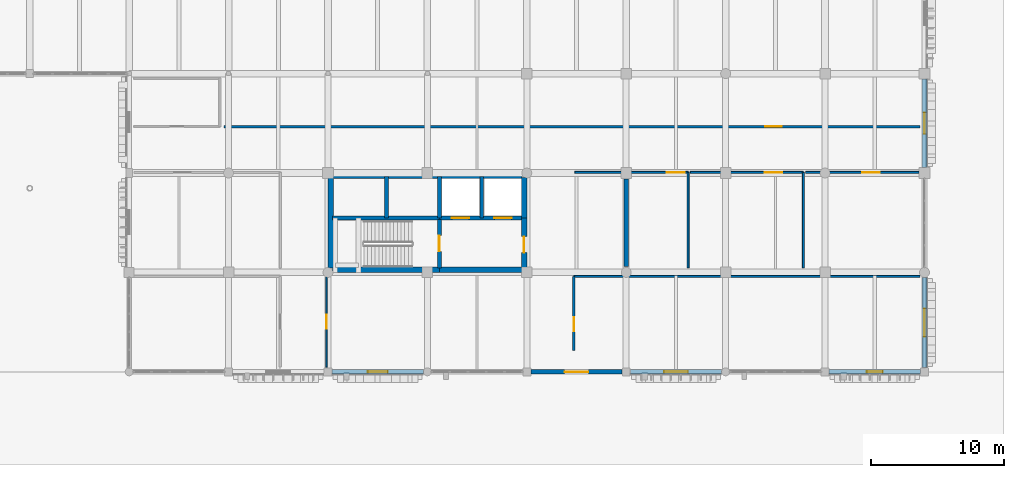
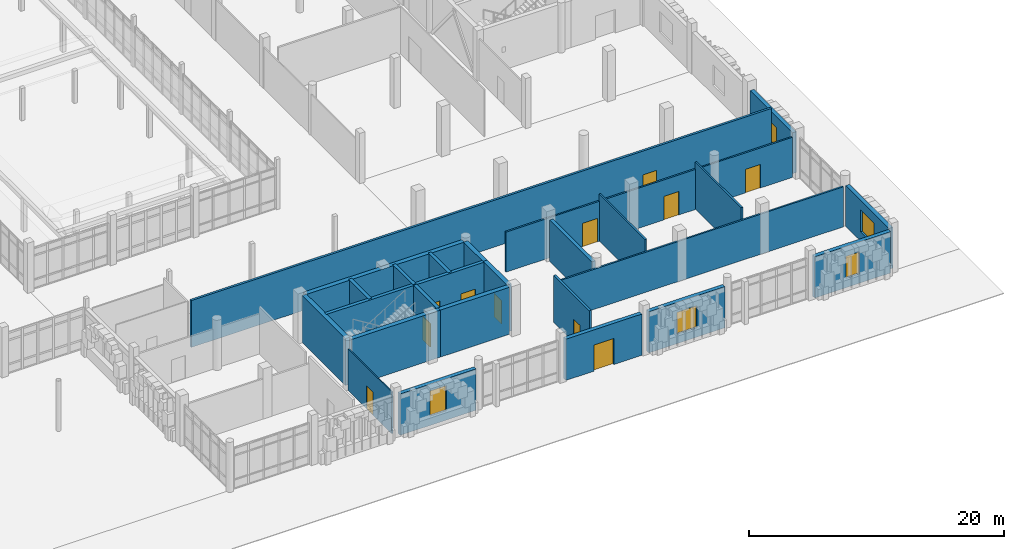
# One storey, part 97 of 125: 28 walls, 11 doors, 5 windows, 16 openings.
"""IFC4 building model written with IfcOpenShell, lengths in metres."""

from ifc_helpers import new_model, si_unit, direction, frame, frame_2d, origin, place, context, subcontext, project, spatial, rectangle, extrude, material, layer, layer_set, type_object, element, fill, save


model = new_model("IFC4")

# Units and contexts
model_context = context("Model", 3, precision=1e-05, world=origin(), true_north=direction((0.0, 1.0)))
body_context = subcontext(model_context, "Body", "Model", "MODEL_VIEW")
ifc_project = project(units=[si_unit("LENGTHUNIT", "METRE"), si_unit("AREAUNIT", "SQUARE_METRE"), si_unit("VOLUMEUNIT", "CUBIC_METRE"), si_unit("PLANEANGLEUNIT", "RADIAN"), si_unit("MASSUNIT", "GRAM", prefix="KILO")], contexts=[model_context])

# Site, building, storey
site_placement = place(None, origin())
site = spatial("IfcSite", under=ifc_project, at=site_placement, CompositionType="ELEMENT")
building_placement = place(site_placement, origin())
building = spatial("IfcBuilding", under=site, at=building_placement, Name="Dalvernix Boulevard General Hospital", CompositionType="ELEMENT")
storey_placement = place(building_placement, origin())
storey = spatial("IfcBuildingStorey", under=building, at=storey_placement, Name="L00", CompositionType="ELEMENT", Elevation=0.0)

# Walls
ifc_material_1 = material(Name="Concrete C40/50", Category="concrete")
ifc_layer_1 = layer(ifc_material_1, 0.39990234375)
ifc_layer_set_1 = layer_set([ifc_layer_1], Name="Concrete C40/50 (WAL-CSW-01)")
wall_type_1 = type_object("IfcWallType", Name="WAL-CSW-01", PredefinedType="SHEAR", material=ifc_layer_set_1)
wall_1_placement = place(storey_placement, frame((127.85009765625, 7.699951171875, 0.0), z_axis=(0.0, 0.0, 1.0), x_axis=(1.0, 0.0, 0.0)))
element("IfcWall", 1, at=wall_1_placement, inside=storey, type_object=wall_type_1, Name="L00 C5 south stairwell wall", PredefinedType="SHEAR", context=body_context, shape_type="SweptSolid", body=[
    extrude(rectangle(XDim=8.0498046875, YDim=0.39990234375, at=frame_2d((4.02490234375, 0.0))), origin(), (0.0, 0.0, 1.0), 4.5),
])
wall_2_placement = place(storey_placement, frame((135.89990234375, 7.699951171875, 0.0), z_axis=(0.0, 0.0, 1.0), x_axis=(1.0, 0.0, 0.0)))
element("IfcWall", 2, at=wall_2_placement, inside=storey, type_object=wall_type_1, Name="L00 C5 south firefighting lobby wall", PredefinedType="SHEAR", context=body_context, shape_type="SweptSolid", body=[
    extrude(rectangle(XDim=6.25, YDim=0.39990234375, at=frame_2d((3.125, 0.0))), origin(), (0.0, 0.0, 1.0), 4.5),
])
wall_3_placement = place(storey_placement, frame((127.85009765625, 14.800048828125, 0.0), z_axis=(0.0, 0.0, 1.0), x_axis=(1.0, 0.0, 0.0)))
element("IfcWall", 3, at=wall_3_placement, inside=storey, type_object=wall_type_1, Name="L00 C5 north shaft core wall", PredefinedType="SHEAR", context=body_context, shape_type="SweptSolid", body=[
    extrude(rectangle(XDim=14.2998046875, YDim=0.39990234375, at=frame_2d((7.14990234375, 0.0))), origin(), (0.0, 0.0, 1.0), 4.5),
])
wall_4_placement = place(storey_placement, frame((127.699951171875, 7.85009765625, 0.0), z_axis=(0.0, 0.0, 1.0), x_axis=(0.0, 1.0, 0.0)))
element("IfcWall", 4, at=wall_4_placement, inside=storey, type_object=wall_type_1, Name="L00 C5 west core wall", PredefinedType="SHEAR", context=body_context, shape_type="SweptSolid", body=[
    extrude(rectangle(XDim=6.7998046875, YDim=0.39990234375, at=frame_2d((3.39990234375, 0.0))), origin(), (0.0, 0.0, 1.0), 4.5),
])

# Wall, opening, door
wall_5_placement = place(storey_placement, frame((142.300048828125, 7.85009765625, 0.0), z_axis=(0.0, 0.0, 1.0), x_axis=(0.0, 1.0, 0.0)))
wall_5 = element("IfcWall", 5, at=wall_5_placement, inside=storey, type_object=wall_type_1, Name="L00 C5 east lobby core wall", PredefinedType="SHEAR", context=body_context, shape_type="SweptSolid", body=[
    extrude(rectangle(XDim=3.75, YDim=0.39990234375, at=frame_2d((1.875, 0.0))), origin(), (0.0, 0.0, 1.0), 4.5),
])
opening_1_placement = place(wall_5_placement, frame((1.14990234375, 0.0, 0.0)))
opening_1 = element("IfcOpeningElement", 6, at=opening_1_placement, cuts=wall_5, Name="Opening FD-02", PredefinedType="OPENING", context=body_context, shape_type="SweptSolid", body=[
    extrude(rectangle(XDim=1.199951171875, YDim=2.25, at=frame_2d((0.60009765625, 1.125))), frame((0.0, 0.2099609375, 0.0), z_axis=(0.0, -1.0, 0.0), x_axis=(1.0, 0.0, 0.0)), (0.0, 0.0, 1.0), 0.419921875),
])
ifc_material_2 = material(Name="Hospital laminate acoustic timber and steel frame", Category="steel")
door_type_1 = type_object("IfcDoorType", Name="DR-FD-02", OperationType="NOTDEFINED", PredefinedType="DOOR", material=ifc_material_2)
door_1_placement = place(opening_1_placement, origin())
door_1 = element("IfcDoor", 7, at=door_1_placement, inside=storey, type_object=door_type_1, Name="L00 C5 east lobby fire door", OperationType="SINGLE_SWING_LEFT", OverallHeight=2.25, OverallWidth=1.199951171875, PredefinedType="DOOR", context=body_context, shape_type="SweptSolid", body=[
    extrude(rectangle(XDim=1.199951171875, YDim=2.25, at=frame_2d((0.60009765625, 1.125))), frame((0.0, 0.02490234375, 0.0), z_axis=(0.0, -1.0, 0.0), x_axis=(1.0, 0.0, 0.0)), (0.0, 0.0, 1.0), 0.050048828125),
])
fill(opening_1, door_1)

# Walls
wall_6_placement = place(storey_placement, frame((142.300048828125, 11.60009765625, 0.0), z_axis=(0.0, 0.0, 1.0), x_axis=(0.0, 1.0, 0.0)))
element("IfcWall", 8, at=wall_6_placement, inside=storey, type_object=wall_type_1, Name="L00 C5 east shaft core wall", PredefinedType="SHEAR", context=body_context, shape_type="SweptSolid", body=[
    extrude(rectangle(XDim=3.0498046875, YDim=0.39990234375, at=frame_2d((1.52490234375, 0.0))), origin(), (0.0, 0.0, 1.0), 4.5),
])
ifc_layer_2 = layer(ifc_material_1, 0.300048828125)
ifc_layer_set_2 = layer_set([ifc_layer_2], Name="Concrete C40/50 (WAL-CSW-02)")
wall_type_2 = type_object("IfcWallType", Name="WAL-CSW-02", PredefinedType="SHEAR", material=ifc_layer_set_2)
wall_7_placement = place(storey_placement, frame((127.85009765625, 11.60009765625, 0.0), z_axis=(0.0, 0.0, 1.0), x_axis=(1.0, 0.0, 0.0)))
element("IfcWall", 9, at=wall_7_placement, inside=storey, type_object=wall_type_2, Name="L00 C5 riser spine wall", PredefinedType="SHEAR", context=body_context, shape_type="SweptSolid", body=[
    extrude(rectangle(XDim=8.0498046875, YDim=0.300048828125, at=frame_2d((4.02490234375, 0.0))), origin(), (0.0, 0.0, 1.0), 4.5),
])

# Wall, openings, doors
wall_8_placement = place(storey_placement, frame((135.89990234375, 11.60009765625, 0.0), z_axis=(0.0, 0.0, 1.0), x_axis=(1.0, 0.0, 0.0)))
wall_8 = element("IfcWall", 10, at=wall_8_placement, inside=storey, type_object=wall_type_2, Name="L00 C5 lift shaft front wall", PredefinedType="SHEAR", context=body_context, shape_type="SweptSolid", body=[
    extrude(rectangle(XDim=6.25, YDim=0.300048828125, at=frame_2d((3.125, 0.0))), origin(), (0.0, 0.0, 1.0), 4.5),
])
opening_2_placement = place(wall_8_placement, frame((0.949951171875, 0.0, 0.0)))
opening_2 = element("IfcOpeningElement", 11, at=opening_2_placement, cuts=wall_8, Name="Opening LD-LF-04-L00", PredefinedType="OPENING", context=body_context, shape_type="SweptSolid", body=[
    extrude(rectangle(XDim=1.300048828125, YDim=2.199951171875, at=frame_2d((0.64990234375, 1.10009765625))), frame((0.0, 0.159912109375, 0.0), z_axis=(0.0, -1.0, 0.0), x_axis=(1.0, 0.0, 0.0)), (0.0, 0.0, 1.0), 0.320068359375),
])
opening_3_placement = place(wall_8_placement, frame((4.14990234375, 0.0, 0.0)))
opening_3 = element("IfcOpeningElement", 12, at=opening_3_placement, cuts=wall_8, Name="Opening LD-LF-05-L00", PredefinedType="OPENING", context=body_context, shape_type="SweptSolid", body=[
    extrude(rectangle(XDim=1.300048828125, YDim=2.199951171875, at=frame_2d((0.64990234375, 1.10009765625))), frame((0.0, 0.159912109375, 0.0), z_axis=(0.0, -1.0, 0.0), x_axis=(1.0, 0.0, 0.0)), (0.0, 0.0, 1.0), 0.320068359375),
])
ifc_material_3 = material(Name="Stainless-clad steel", Category="steel")
door_type_2 = type_object("IfcDoorType", Name="DR-LD-02", OperationType="DOUBLE_DOOR_SLIDING", PredefinedType="DOOR", material=ifc_material_3)
door_2_placement = place(opening_2_placement, origin())
door_2 = element("IfcDoor", 13, at=door_2_placement, inside=storey, type_object=door_type_2, Name="L00 Lift LF-04 sliding landing door", OperationType="DOUBLE_DOOR_SLIDING", OverallHeight=2.199951171875, OverallWidth=1.300048828125, PredefinedType="DOOR", context=body_context, shape_type="SweptSolid", body=[
    extrude(rectangle(XDim=1.300048828125, YDim=2.199951171875, at=frame_2d((0.64990234375, 1.10009765625))), frame((0.0, 0.02490234375, 0.0), z_axis=(0.0, -1.0, 0.0), x_axis=(1.0, 0.0, 0.0)), (0.0, 0.0, 1.0), 0.050048828125),
])
fill(opening_2, door_2)
door_3_placement = place(opening_3_placement, origin())
door_3 = element("IfcDoor", 14, at=door_3_placement, inside=storey, type_object=door_type_2, Name="L00 Lift LF-05 sliding landing door", OperationType="DOUBLE_DOOR_SLIDING", OverallHeight=2.199951171875, OverallWidth=1.300048828125, PredefinedType="DOOR", context=body_context, shape_type="SweptSolid", body=[
    extrude(rectangle(XDim=1.300048828125, YDim=2.199951171875, at=frame_2d((0.64990234375, 1.10009765625))), frame((0.0, 0.02490234375, 0.0), z_axis=(0.0, -1.0, 0.0), x_axis=(1.0, 0.0, 0.0)), (0.0, 0.0, 1.0), 0.050048828125),
])
fill(opening_3, door_3)

# Wall, opening, door
wall_9_placement = place(storey_placement, frame((135.89990234375, 11.5, 0.0), z_axis=(0.0, 0.0, 1.0), x_axis=(0.0, -1.0, 0.0)))
wall_9 = element("IfcWall", 15, at=wall_9_placement, inside=storey, type_object=wall_type_2, Name="L00 C5 stairwell fire wall", PredefinedType="SHEAR", context=body_context, shape_type="SweptSolid", body=[
    extrude(rectangle(XDim=3.64990234375, YDim=0.300048828125, at=frame_2d((1.824951171875, 0.0))), origin(), (0.0, 0.0, 1.0), 4.5),
])
opening_4_placement = place(wall_9_placement, frame((1.219970703125, 0.0, 0.0)))
opening_4 = element("IfcOpeningElement", 16, at=opening_4_placement, cuts=wall_9, Name="Opening FD-02", PredefinedType="OPENING", context=body_context, shape_type="SweptSolid", body=[
    extrude(rectangle(XDim=1.199951171875, YDim=2.25, at=frame_2d((0.60009765625, 1.125))), frame((0.0, 0.159912109375, 0.0), z_axis=(0.0, -1.0, 0.0), x_axis=(1.0, 0.0, 0.0)), (0.0, 0.0, 1.0), 0.320068359375),
])
door_4_placement = place(opening_4_placement, origin())
door_4 = element("IfcDoor", 17, at=door_4_placement, inside=storey, type_object=door_type_1, Name="L00 Stair ST-05 fire door", OperationType="SINGLE_SWING_RIGHT", OverallHeight=2.25, OverallWidth=1.199951171875, PredefinedType="DOOR", context=body_context, shape_type="SweptSolid", body=[
    extrude(rectangle(XDim=1.199951171875, YDim=2.25, at=frame_2d((0.60009765625, 1.125))), frame((0.0, 0.02490234375, 0.0), z_axis=(0.0, -1.0, 0.0), x_axis=(1.0, 0.0, 0.0)), (0.0, 0.0, 1.0), 0.050048828125),
])
fill(opening_4, door_4)

# Walls
for number, where, z_axis, x_axis, name in (
    (18, (131.89990234375, 11.60009765625, 0.0), (0.0, 0.0, 1.0), (0.0, 1.0, 0.0), "L00 C5 shaft divider R1"),
    (19, (135.89990234375, 11.60009765625, 0.0), (0.0, 0.0, 1.0), (0.0, 1.0, 0.0), "L00 C5 shaft divider R2"),
    (20, (139.10009765625, 11.60009765625, 0.0), (0.0, 0.0, 1.0), (0.0, 1.0, 0.0), "L00 C5 shaft divider L1"),
):
    element("IfcWall", number, at=place(storey_placement, frame(where, z_axis=z_axis, x_axis=x_axis)), inside=storey, type_object=wall_type_2, Name=name, PredefinedType="SHEAR", context=body_context, shape_type="SweptSolid", body=[
        extrude(rectangle(XDim=3.14990234375, YDim=0.300048828125, at=frame_2d((1.574951171875, 0.0))), origin(), (0.0, 0.0, 1.0), 4.5),
    ])
ifc_layer_3 = layer(ifc_material_1, 0.320068359375)
ifc_layer_set_3 = layer_set([ifc_layer_3], Name="Concrete C40/50 (WAL-ESW-02)")
wall_type_3 = type_object("IfcWallType", Name="WAL-ESW-02", PredefinedType="SHEAR", material=ifc_layer_set_3)
wall_10_placement = place(storey_placement, frame((150.0, 7.949951171875, 0.0), z_axis=(0.0, 0.0, 1.0), x_axis=(0.0, 1.0, 0.0)))
element("IfcWall", 21, at=wall_10_placement, inside=storey, type_object=wall_type_3, Name="L00 reinforced concrete shear wall 3", PredefinedType="SHEAR", context=body_context, shape_type="SweptSolid", body=[
    extrude(rectangle(XDim=6.60009765625, YDim=0.320068359375, at=frame_2d((3.300048828125, 0.0))), origin(), (0.0, 0.0, 1.0), 3.949951171875),
])

# Wall, opening, window
ifc_material_4 = material(Name="Pressed Catalan clay brick and insulated concrete cavity wall C35/45", Category="masonry")
ifc_layer_4 = layer(ifc_material_4, 0.35009765625)
ifc_layer_set_4 = layer_set([ifc_layer_4], Name="Pressed Catalan clay brick and insulated concrete cavity wall C35/45 (WAL-EW-01)")
wall_type_4 = type_object("IfcWallType", Name="WAL-EW-01", PredefinedType="STANDARD", material=ifc_layer_set_4)
wall_11_placement = place(storey_placement, frame((134.68994140625, 0.0, 0.0), z_axis=(0.0, 0.0, 1.0), x_axis=(-1.0, 0.0, 0.0)))
wall_11 = element("IfcWall", 22, at=wall_11_placement, inside=storey, type_object=wall_type_4, Name="L00 Catalan brick external wall S 17-0", PredefinedType="STANDARD", context=body_context, shape_type="SweptSolid", body=[
    extrude(rectangle(XDim=6.8798828125, YDim=0.35009765625, at=frame_2d((3.43994140625, 0.0))), origin(), (0.0, 0.0, 1.0), 3.949951171875),
])
opening_5_placement = place(wall_11_placement, frame((2.68994140625, 0.0, 0.89990234375)))
opening_5 = element("IfcOpeningElement", 23, at=opening_5_placement, cuts=wall_11, Name="Opening WN-02", PredefinedType="OPENING", context=body_context, shape_type="SweptSolid", body=[
    extrude(rectangle(XDim=1.5, YDim=2.39990234375, at=frame_2d((0.75, 1.199951171875))), frame((0.0, 0.18505859375, 0.0), z_axis=(0.0, -1.0, 0.0), x_axis=(1.0, 0.0, 0.0)), (0.0, 0.0, 1.0), 0.3701171875),
])
ifc_material_5 = material(Name="Thermally broken aluminium frame with solar-control double glazing", Category="aluminium")
window_type_1 = type_object("IfcWindowType", Name="WIN-WN-02", PartitioningType="SINGLE_PANEL", PredefinedType="WINDOW", material=ifc_material_5)
window_1_placement = place(opening_5_placement, origin())
window_1 = element("IfcWindow", 24, at=window_1_placement, inside=storey, type_object=window_type_1, Name="L00 clinical window WN-02 S 17-0", OverallHeight=2.39990234375, OverallWidth=1.5, PartitioningType="SINGLE_PANEL", PredefinedType="WINDOW", context=body_context, shape_type="SweptSolid", body=[
    extrude(rectangle(XDim=1.5, YDim=2.39990234375, at=frame_2d((0.75, 1.199951171875))), frame((0.0, 0.030029296875, 0.0), z_axis=(0.0, -1.0, 0.0), x_axis=(1.0, 0.0, 0.0)), (0.0, 0.0, 1.0), 0.06005859375),
])
fill(opening_5, window_1)

# Wall, opening, door
wall_12_placement = place(storey_placement, frame((149.68994140625, 0.0, 0.0), z_axis=(0.0, 0.0, 1.0), x_axis=(-1.0, 0.0, 0.0)))
wall_12 = element("IfcWall", 25, at=wall_12_placement, inside=storey, type_object=wall_type_4, Name="L00 Catalan brick external wall S 19-0", PredefinedType="STANDARD", context=body_context, shape_type="SweptSolid", body=[
    extrude(rectangle(XDim=6.8798828125, YDim=0.35009765625, at=frame_2d((3.43994140625, 0.0))), origin(), (0.0, 0.0, 1.0), 3.949951171875),
])
opening_6_placement = place(wall_12_placement, frame((2.5400390625, 0.0, 0.0)))
opening_6 = element("IfcOpeningElement", 26, at=opening_6_placement, cuts=wall_12, Name="Opening ED-18", PredefinedType="OPENING", context=body_context, shape_type="SweptSolid", body=[
    extrude(rectangle(XDim=1.800048828125, YDim=2.5, at=frame_2d((0.89990234375, 1.25))), frame((0.0, 0.18505859375, 0.0), z_axis=(0.0, -1.0, 0.0), x_axis=(1.0, 0.0, 0.0)), (0.0, 0.0, 1.0), 0.3701171875),
])
ifc_material_6 = material(Name="Galvanized painted steel", Category="steel")
door_type_3 = type_object("IfcDoorType", Name="DR-ED-18", OperationType="DOUBLE_DOOR_SINGLE_SWING", PredefinedType="DOOR", material=ifc_material_6)
door_5_placement = place(opening_6_placement, origin())
door_5 = element("IfcDoor", 27, at=door_5_placement, inside=storey, type_object=door_type_3, Name="Final Exit Door ED-L00-05 (Core C5 Protected Exit Corridor)", OperationType="DOUBLE_DOOR_SINGLE_SWING", OverallHeight=2.5, OverallWidth=1.800048828125, PredefinedType="DOOR", context=body_context, shape_type="SweptSolid", body=[
    extrude(rectangle(XDim=1.800048828125, YDim=2.5, at=frame_2d((0.89990234375, 1.25))), frame((0.0, 0.02490234375, 0.0), z_axis=(0.0, -1.0, 0.0), x_axis=(1.0, 0.0, 0.0)), (0.0, 0.0, 1.0), 0.050048828125),
])
fill(opening_6, door_5)

# Wall, opening, window
wall_13_placement = place(storey_placement, frame((157.18994140625, 0.0, 0.0), z_axis=(0.0, 0.0, 1.0), x_axis=(-1.0, 0.0, 0.0)))
wall_13 = element("IfcWall", 28, at=wall_13_placement, inside=storey, type_object=wall_type_4, Name="L00 Catalan brick external wall S 20-0", PredefinedType="STANDARD", context=body_context, shape_type="SweptSolid", body=[
    extrude(rectangle(XDim=6.8798828125, YDim=0.35009765625, at=frame_2d((3.43994140625, 0.0))), origin(), (0.0, 0.0, 1.0), 3.949951171875),
])
opening_7_placement = place(wall_13_placement, frame((2.5400390625, 0.0, 0.89990234375)))
opening_7 = element("IfcOpeningElement", 29, at=opening_7_placement, cuts=wall_13, Name="Opening WN-05", PredefinedType="OPENING", context=body_context, shape_type="SweptSolid", body=[
    extrude(rectangle(XDim=1.800048828125, YDim=2.10009765625, at=frame_2d((0.89990234375, 1.050048828125))), frame((0.0, 0.18505859375, 0.0), z_axis=(0.0, -1.0, 0.0), x_axis=(1.0, 0.0, 0.0)), (0.0, 0.0, 1.0), 0.3701171875),
])
window_type_2 = type_object("IfcWindowType", Name="WIN-WN-05", PartitioningType="SINGLE_PANEL", PredefinedType="WINDOW", material=ifc_material_5)
window_2_placement = place(opening_7_placement, origin())
window_2 = element("IfcWindow", 30, at=window_2_placement, inside=storey, type_object=window_type_2, Name="L00 clinical window WN-05 S 20-0", OverallHeight=2.10009765625, OverallWidth=1.800048828125, PartitioningType="SINGLE_PANEL", PredefinedType="WINDOW", context=body_context, shape_type="SweptSolid", body=[
    extrude(rectangle(XDim=1.800048828125, YDim=2.10009765625, at=frame_2d((0.89990234375, 1.050048828125))), frame((0.0, 0.030029296875, 0.0), z_axis=(0.0, -1.0, 0.0), x_axis=(1.0, 0.0, 0.0)), (0.0, 0.0, 1.0), 0.06005859375),
])
fill(opening_7, window_2)

wall_14_placement = place(storey_placement, frame((172.18994140625, 0.0, 0.0), z_axis=(0.0, 0.0, 1.0), x_axis=(-1.0, 0.0, 0.0)))
wall_14 = element("IfcWall", 31, at=wall_14_placement, inside=storey, type_object=wall_type_4, Name="L00 Catalan brick external wall S 22-0", PredefinedType="STANDARD", context=body_context, shape_type="SweptSolid", body=[
    extrude(rectangle(XDim=6.8798828125, YDim=0.35009765625, at=frame_2d((3.43994140625, 0.0))), origin(), (0.0, 0.0, 1.0), 3.949951171875),
])
opening_8_placement = place(wall_14_placement, frame((2.840087890625, 0.0, 0.89990234375)))
opening_8 = element("IfcOpeningElement", 32, at=opening_8_placement, cuts=wall_14, Name="Opening WN-07", PredefinedType="OPENING", context=body_context, shape_type="SweptSolid", body=[
    extrude(rectangle(XDim=1.199951171875, YDim=2.10009765625, at=frame_2d((0.60009765625, 1.050048828125))), frame((0.0, 0.18505859375, 0.0), z_axis=(0.0, -1.0, 0.0), x_axis=(1.0, 0.0, 0.0)), (0.0, 0.0, 1.0), 0.3701171875),
])
window_type_3 = type_object("IfcWindowType", Name="WIN-WN-07", PartitioningType="SINGLE_PANEL", PredefinedType="WINDOW", material=ifc_material_5)
window_3_placement = place(opening_8_placement, origin())
window_3 = element("IfcWindow", 33, at=window_3_placement, inside=storey, type_object=window_type_3, Name="L00 clinical window WN-07 S 22-0", OverallHeight=2.10009765625, OverallWidth=1.199951171875, PartitioningType="SINGLE_PANEL", PredefinedType="WINDOW", context=body_context, shape_type="SweptSolid", body=[
    extrude(rectangle(XDim=1.199951171875, YDim=2.10009765625, at=frame_2d((0.60009765625, 1.050048828125))), frame((0.0, 0.030029296875, 0.0), z_axis=(0.0, -1.0, 0.0), x_axis=(1.0, 0.0, 0.0)), (0.0, 0.0, 1.0), 0.06005859375),
])
fill(opening_8, window_3)

wall_15_placement = place(storey_placement, frame((172.5, 7.114990234375, 0.0), z_axis=(0.0, 0.0, 1.0), x_axis=(0.0, -1.0, 0.0)))
wall_15 = element("IfcWall", 34, at=wall_15_placement, inside=storey, type_object=wall_type_4, Name="L00 Catalan brick external wall E 23-0", PredefinedType="STANDARD", context=body_context, shape_type="SweptSolid", body=[
    extrude(rectangle(XDim=6.804931640625, YDim=0.35009765625, at=frame_2d((3.40234375, 0.0))), origin(), (0.0, 0.0, 1.0), 3.89990234375),
])
opening_9_placement = place(wall_15_placement, frame((2.3525390625, 0.0, 0.89990234375)))
opening_9 = element("IfcOpeningElement", 35, at=opening_9_placement, cuts=wall_15, Name="Opening WN-08", PredefinedType="OPENING", context=body_context, shape_type="SweptSolid", body=[
    extrude(rectangle(XDim=2.10009765625, YDim=2.10009765625, at=frame_2d((1.050048828125, 1.050048828125))), frame((0.0, 0.18505859375, 0.0), z_axis=(0.0, -1.0, 0.0), x_axis=(1.0, 0.0, 0.0)), (0.0, 0.0, 1.0), 0.3701171875),
])
window_type_4 = type_object("IfcWindowType", Name="WIN-WN-08", PartitioningType="SINGLE_PANEL", PredefinedType="WINDOW", material=ifc_material_5)
window_4_placement = place(opening_9_placement, origin())
window_4 = element("IfcWindow", 36, at=window_4_placement, inside=storey, type_object=window_type_4, Name="L00 clinical window WN-08 E 23-0", OverallHeight=2.10009765625, OverallWidth=2.10009765625, PartitioningType="SINGLE_PANEL", PredefinedType="WINDOW", context=body_context, shape_type="SweptSolid", body=[
    extrude(rectangle(XDim=2.10009765625, YDim=2.10009765625, at=frame_2d((1.050048828125, 1.050048828125))), frame((0.0, 0.030029296875, 0.0), z_axis=(0.0, -1.0, 0.0), x_axis=(1.0, 0.0, 0.0)), (0.0, 0.0, 1.0), 0.06005859375),
])
fill(opening_9, window_4)

wall_16_placement = place(storey_placement, frame((172.5, 22.090087890625, 0.0), z_axis=(0.0, 0.0, 1.0), x_axis=(0.0, -1.0, 0.0)))
wall_16 = element("IfcWall", 37, at=wall_16_placement, inside=storey, type_object=wall_type_4, Name="L00 Catalan brick external wall E 23-2", PredefinedType="STANDARD", context=body_context, shape_type="SweptSolid", body=[
    extrude(rectangle(XDim=6.68017578125, YDim=0.35009765625, at=frame_2d((3.340087890625, 0.0))), origin(), (0.0, 0.0, 1.0), 3.89990234375),
])
opening_10_placement = place(wall_16_placement, frame((2.5400390625, 0.0, 0.89990234375)))
opening_10 = element("IfcOpeningElement", 38, at=opening_10_placement, cuts=wall_16, Name="Opening WN-10", PredefinedType="OPENING", context=body_context, shape_type="SweptSolid", body=[
    extrude(rectangle(XDim=1.60009765625, YDim=1.949951171875, at=frame_2d((0.800048828125, 0.97509765625))), frame((0.0, 0.18505859375, 0.0), z_axis=(0.0, -1.0, 0.0), x_axis=(1.0, 0.0, 0.0)), (0.0, 0.0, 1.0), 0.3701171875),
])
window_type_5 = type_object("IfcWindowType", Name="WIN-WN-10", PartitioningType="SINGLE_PANEL", PredefinedType="WINDOW", material=ifc_material_5)
window_5_placement = place(opening_10_placement, origin())
window_5 = element("IfcWindow", 39, at=window_5_placement, inside=storey, type_object=window_type_5, Name="L00 clinical window WN-10 E 23-2", OverallHeight=1.949951171875, OverallWidth=1.60009765625, PartitioningType="SINGLE_PANEL", PredefinedType="WINDOW", context=body_context, shape_type="SweptSolid", body=[
    extrude(rectangle(XDim=1.60009765625, YDim=1.949951171875, at=frame_2d((0.800048828125, 0.97509765625))), frame((0.0, 0.030029296875, 0.0), z_axis=(0.0, -1.0, 0.0), x_axis=(1.0, 0.0, 0.0)), (0.0, 0.0, 1.0), 0.06005859375),
])
fill(opening_10, window_5)

# Wall, opening, door
ifc_material_7 = material(Name="Fire-compartment corridor masonry wall", Category="masonry")
ifc_layer_5 = layer(ifc_material_7, 0.199951171875)
ifc_layer_set_5 = layer_set([ifc_layer_5], Name="Fire-compartment corridor masonry wall (WAL-IW-02)")
wall_type_5 = type_object("IfcWallType", Name="WAL-IW-02", PredefinedType="STANDARD", material=ifc_layer_set_5)
wall_17_placement = place(storey_placement, frame((146.050048828125, 7.199951171875, 0.0), z_axis=(0.0, 0.0, 1.0), x_axis=(0.0, -1.0, 0.0)))
wall_17 = element("IfcWall", 40, at=wall_17_placement, inside=storey, type_object=wall_type_5, Name="L00 Antenatal and Women Health Consultation Suite corridor wall", PredefinedType="STANDARD", context=body_context, shape_type="SweptSolid", body=[
    extrude(rectangle(XDim=5.599853515625, YDim=0.199951171875, at=frame_2d((2.7998046875, 0.0))), origin(), (0.0, 0.0, 1.0), 4.485107421875),
])
opening_11_placement = place(wall_17_placement, frame((3.0849609375, 0.0, 0.0)))
opening_11 = element("IfcOpeningElement", 41, at=opening_11_placement, cuts=wall_17, Name="Opening ID-07", PredefinedType="OPENING", context=body_context, shape_type="SweptSolid", body=[
    extrude(rectangle(XDim=1.050048828125, YDim=2.199951171875, at=frame_2d((0.52490234375, 1.10009765625))), frame((0.0, 0.10986328125, 0.0), z_axis=(0.0, -1.0, 0.0), x_axis=(1.0, 0.0, 0.0)), (0.0, 0.0, 1.0), 0.219970703125),
])
door_type_4 = type_object("IfcDoorType", Name="DR-ID-07", OperationType="NOTDEFINED", PredefinedType="DOOR", material=ifc_material_2)
door_6_placement = place(opening_11_placement, origin())
door_6 = element("IfcDoor", 42, at=door_6_placement, inside=storey, type_object=door_type_4, Name="L00 Antenatal and Women Health Consultation Suite door", OperationType="SINGLE_SWING_RIGHT", OverallHeight=2.199951171875, OverallWidth=1.050048828125, PredefinedType="DOOR", context=body_context, shape_type="SweptSolid", body=[
    extrude(rectangle(XDim=1.050048828125, YDim=2.199951171875, at=frame_2d((0.52490234375, 1.10009765625))), frame((0.0, 0.02490234375, 0.0), z_axis=(0.0, -1.0, 0.0), x_axis=(1.0, 0.0, 0.0)), (0.0, 0.0, 1.0), 0.050048828125),
])
fill(opening_11, door_6)

wall_18_placement = place(storey_placement, frame((119.64990234375, 18.5, 0.0), z_axis=(0.0, 0.0, 1.0), x_axis=(1.0, 0.0, 0.0)))
wall_18 = element("IfcWall", 43, at=wall_18_placement, inside=storey, type_object=wall_type_5, Name="L00 Maternity and Oncology Nurse Station L00 corridor wall", PredefinedType="STANDARD", context=body_context, shape_type="SweptSolid", body=[
    extrude(rectangle(XDim=52.5, YDim=0.199951171875, at=frame_2d((26.25, 0.0))), origin(), (0.0, 0.0, 1.0), 4.485107421875),
])
opening_12_placement = place(wall_18_placement, frame((40.85009765625, 0.0, 0.0)))
opening_12 = element("IfcOpeningElement", 44, at=opening_12_placement, cuts=wall_18, Name="Opening ID-04", PredefinedType="OPENING", context=body_context, shape_type="SweptSolid", body=[
    extrude(rectangle(XDim=1.25, YDim=2.199951171875, at=frame_2d((0.625, 1.10009765625))), frame((0.0, 0.10986328125, 0.0), z_axis=(0.0, -1.0, 0.0), x_axis=(1.0, 0.0, 0.0)), (0.0, 0.0, 1.0), 0.219970703125),
])
door_type_5 = type_object("IfcDoorType", Name="DR-ID-04", OperationType="NOTDEFINED", PredefinedType="DOOR", material=ifc_material_2)
door_7_placement = place(opening_12_placement, origin())
door_7 = element("IfcDoor", 45, at=door_7_placement, inside=storey, type_object=door_type_5, Name="L00 Maternity and Oncology Nurse Station L00 door", OperationType="SINGLE_SWING_RIGHT", OverallHeight=2.199951171875, OverallWidth=1.25, PredefinedType="DOOR", context=body_context, shape_type="SweptSolid", body=[
    extrude(rectangle(XDim=1.25, YDim=2.199951171875, at=frame_2d((0.625, 1.10009765625))), frame((0.0, 0.02490234375, 0.0), z_axis=(0.0, -1.0, 0.0), x_axis=(1.0, 0.0, 0.0)), (0.0, 0.0, 1.0), 0.050048828125),
])
fill(opening_12, door_7)

ifc_material_8 = material(Name="Acoustic double-stud gypsum inpatient partition")
ifc_layer_6 = layer(ifc_material_8, 0.14990234375)
ifc_layer_set_6 = layer_set([ifc_layer_6], Name="Acoustic double-stud gypsum inpatient partition (WAL-IW-04)")
wall_type_6 = type_object("IfcWallType", Name="WAL-IW-04", PredefinedType="PARTITIONING", material=ifc_layer_set_6)
wall_19_placement = place(storey_placement, frame((154.669921875, 15.050048828125, 0.0), z_axis=(0.0, 0.0, 1.0), x_axis=(-1.0, 0.0, 0.0)))
wall_19 = element("IfcWall", 46, at=wall_19_placement, inside=storey, type_object=wall_type_6, Name="L00 Outpatient Vaccination Room 01 corridor wall", PredefinedType="PARTITIONING", context=body_context, shape_type="SweptSolid", body=[
    extrude(rectangle(XDim=8.5400390625, YDim=0.14990234375, at=frame_2d((4.27001953125, 0.0))), origin(), (0.0, 0.0, 1.0), 3.8349609375),
])
opening_13_placement = place(wall_19_placement, frame((0.25, 0.0, 0.0)))
opening_13 = element("IfcOpeningElement", 47, at=opening_13_placement, cuts=wall_19, Name="Opening ID-01", PredefinedType="OPENING", context=body_context, shape_type="SweptSolid", body=[
    extrude(rectangle(XDim=1.35009765625, YDim=2.25, at=frame_2d((0.675048828125, 1.125))), frame((0.0, 0.0849609375, 0.0), z_axis=(0.0, -1.0, 0.0), x_axis=(1.0, 0.0, 0.0)), (0.0, 0.0, 1.0), 0.169921875),
])
door_type_6 = type_object("IfcDoorType", Name="DR-ID-01", OperationType="NOTDEFINED", PredefinedType="DOOR", material=ifc_material_2)
door_8_placement = place(opening_13_placement, origin())
door_8 = element("IfcDoor", 48, at=door_8_placement, inside=storey, type_object=door_type_6, Name="L00 Outpatient Vaccination Room 01 door", OperationType="SINGLE_SWING_RIGHT", OverallHeight=2.25, OverallWidth=1.35009765625, PredefinedType="DOOR", context=body_context, shape_type="SweptSolid", body=[
    extrude(rectangle(XDim=1.35009765625, YDim=2.25, at=frame_2d((0.675048828125, 1.125))), frame((0.0, 0.02490234375, 0.0), z_axis=(0.0, -1.0, 0.0), x_axis=(1.0, 0.0, 0.0)), (0.0, 0.0, 1.0), 0.050048828125),
])
fill(opening_13, door_8)

wall_20_placement = place(storey_placement, frame((163.3701171875, 15.050048828125, 0.0), z_axis=(0.0, 0.0, 1.0), x_axis=(-1.0, 0.0, 0.0)))
wall_20 = element("IfcWall", 49, at=wall_20_placement, inside=storey, type_object=wall_type_6, Name="L00 Outpatient Vaccination Room 02 corridor wall", PredefinedType="PARTITIONING", context=body_context, shape_type="SweptSolid", body=[
    extrude(rectangle(XDim=8.5400390625, YDim=0.14990234375, at=frame_2d((4.27001953125, 0.0))), origin(), (0.0, 0.0, 1.0), 3.8349609375),
])
opening_14_placement = place(wall_20_placement, frame((1.587890625, 0.0, 0.0)))
opening_14 = element("IfcOpeningElement", 50, at=opening_14_placement, cuts=wall_20, Name="Opening ID-01", PredefinedType="OPENING", context=body_context, shape_type="SweptSolid", body=[
    extrude(rectangle(XDim=1.35009765625, YDim=2.25, at=frame_2d((0.675048828125, 1.125))), frame((0.0, 0.0849609375, 0.0), z_axis=(0.0, -1.0, 0.0), x_axis=(1.0, 0.0, 0.0)), (0.0, 0.0, 1.0), 0.169921875),
])
door_9_placement = place(opening_14_placement, origin())
door_9 = element("IfcDoor", 51, at=door_9_placement, inside=storey, type_object=door_type_6, Name="L00 Outpatient Vaccination Room 02 door", OperationType="SINGLE_SWING_LEFT", OverallHeight=2.25, OverallWidth=1.35009765625, PredefinedType="DOOR", context=body_context, shape_type="SweptSolid", body=[
    extrude(rectangle(XDim=1.35009765625, YDim=2.25, at=frame_2d((0.675048828125, 1.125))), frame((0.0, 0.02490234375, 0.0), z_axis=(0.0, -1.0, 0.0), x_axis=(1.0, 0.0, 0.0)), (0.0, 0.0, 1.0), 0.050048828125),
])
fill(opening_14, door_9)

wall_21_placement = place(storey_placement, frame((172.070068359375, 15.050048828125, 0.0), z_axis=(0.0, 0.0, 1.0), x_axis=(-1.0, 0.0, 0.0)))
wall_21 = element("IfcWall", 52, at=wall_21_placement, inside=storey, type_object=wall_type_6, Name="L00 Outpatient Vaccination Room 03 corridor wall", PredefinedType="PARTITIONING", context=body_context, shape_type="SweptSolid", body=[
    extrude(rectangle(XDim=8.5400390625, YDim=0.14990234375, at=frame_2d((4.27001953125, 0.0))), origin(), (0.0, 0.0, 1.0), 3.8349609375),
])
opening_15_placement = place(wall_21_placement, frame((2.926025390625, 0.0, 0.0)))
opening_15 = element("IfcOpeningElement", 53, at=opening_15_placement, cuts=wall_21, Name="Opening ID-01", PredefinedType="OPENING", context=body_context, shape_type="SweptSolid", body=[
    extrude(rectangle(XDim=1.35009765625, YDim=2.25, at=frame_2d((0.675048828125, 1.125))), frame((0.0, 0.0849609375, 0.0), z_axis=(0.0, -1.0, 0.0), x_axis=(1.0, 0.0, 0.0)), (0.0, 0.0, 1.0), 0.169921875),
])
door_10_placement = place(opening_15_placement, origin())
door_10 = element("IfcDoor", 54, at=door_10_placement, inside=storey, type_object=door_type_6, Name="L00 Outpatient Vaccination Room 03 door", OperationType="SINGLE_SWING_RIGHT", OverallHeight=2.25, OverallWidth=1.35009765625, PredefinedType="DOOR", context=body_context, shape_type="SweptSolid", body=[
    extrude(rectangle(XDim=1.35009765625, YDim=2.25, at=frame_2d((0.675048828125, 1.125))), frame((0.0, 0.02490234375, 0.0), z_axis=(0.0, -1.0, 0.0), x_axis=(1.0, 0.0, 0.0)), (0.0, 0.0, 1.0), 0.050048828125),
])
fill(opening_15, door_10)

# Walls
wall_22_placement = place(storey_placement, frame((146.050048828125, 7.199951171875, 0.0), z_axis=(0.0, 0.0, 1.0), x_axis=(1.0, 0.0, 0.0)))
element("IfcWall", 55, at=wall_22_placement, inside=storey, type_object=wall_type_6, Name="L00 Antenatal and Women Health Consultation Suite partition", PredefinedType="PARTITIONING", context=body_context, shape_type="SweptSolid", body=[
    extrude(rectangle(XDim=26.099853515625, YDim=0.14990234375, at=frame_2d((13.0498046875, 0.0))), origin(), (0.0, 0.0, 1.0), 3.8349609375),
])
for number, where, z_axis, x_axis, name in (
    (56, (154.669921875, 7.85009765625, 0.0), (0.0, 0.0, 1.0), (0.0, 1.0, 0.0), "L00 Outpatient Vaccination Room 01 partition"),
    (57, (163.3701171875, 7.85009765625, 0.0), (0.0, 0.0, 1.0), (0.0, 1.0, 0.0), "L00 Outpatient Vaccination Room 02 partition"),
):
    element("IfcWall", number, at=place(storey_placement, frame(where, z_axis=z_axis, x_axis=x_axis)), inside=storey, type_object=wall_type_6, Name=name, PredefinedType="PARTITIONING", context=body_context, shape_type="SweptSolid", body=[
        extrude(rectangle(XDim=7.199951171875, YDim=0.14990234375, at=frame_2d((3.60009765625, 0.0))), origin(), (0.0, 0.0, 1.0), 4.485107421875),
    ])

# Wall, opening, door
ifc_material_9 = material(Name="Fire-resisting clinical sub-partition")
ifc_layer_7 = layer(ifc_material_9, 0.10009765625)
ifc_layer_set_7 = layer_set([ifc_layer_7], Name="Fire-resisting clinical sub-partition (WAL-IW-06)")
wall_type_7 = type_object("IfcWallType", Name="WAL-IW-06", PredefinedType="PARTITIONING", material=ifc_layer_set_7)
wall_23_placement = place(storey_placement, frame((127.39990234375, 7.199951171875, 0.0), z_axis=(0.0, 0.0, 1.0), x_axis=(0.0, -1.0, 0.0)))
wall_23 = element("IfcWall", 58, at=wall_23_placement, inside=storey, type_object=wall_type_7, Name="L00 Outpatient Dispensing Counselling Room corridor wall", PredefinedType="PARTITIONING", context=body_context, shape_type="SweptSolid", body=[
    extrude(rectangle(XDim=6.849853515625, YDim=0.10009765625, at=frame_2d((3.4248046875, 0.0))), origin(), (0.0, 0.0, 1.0), 3.985107421875),
])
opening_16_placement = place(wall_23_placement, frame((2.89990234375, 0.0, 0.0)))
opening_16 = element("IfcOpeningElement", 59, at=opening_16_placement, cuts=wall_23, Name="Opening ID-07", PredefinedType="OPENING", context=body_context, shape_type="SweptSolid", body=[
    extrude(rectangle(XDim=1.050048828125, YDim=2.199951171875, at=frame_2d((0.52490234375, 1.10009765625))), frame((0.0, 0.06005859375, 0.0), z_axis=(0.0, -1.0, 0.0), x_axis=(1.0, 0.0, 0.0)), (0.0, 0.0, 1.0), 0.1201171875),
])
door_11_placement = place(opening_16_placement, origin())
door_11 = element("IfcDoor", 60, at=door_11_placement, inside=storey, type_object=door_type_4, Name="L00 Outpatient Dispensing Counselling Room door", OperationType="SINGLE_SWING_LEFT", OverallHeight=2.199951171875, OverallWidth=1.050048828125, PredefinedType="DOOR", context=body_context, shape_type="SweptSolid", body=[
    extrude(rectangle(XDim=1.050048828125, YDim=2.199951171875, at=frame_2d((0.52490234375, 1.10009765625))), frame((0.0, 0.02490234375, 0.0), z_axis=(0.0, -1.0, 0.0), x_axis=(1.0, 0.0, 0.0)), (0.0, 0.0, 1.0), 0.050048828125),
])
fill(opening_16, door_11)

save(model, "model.ifc")
